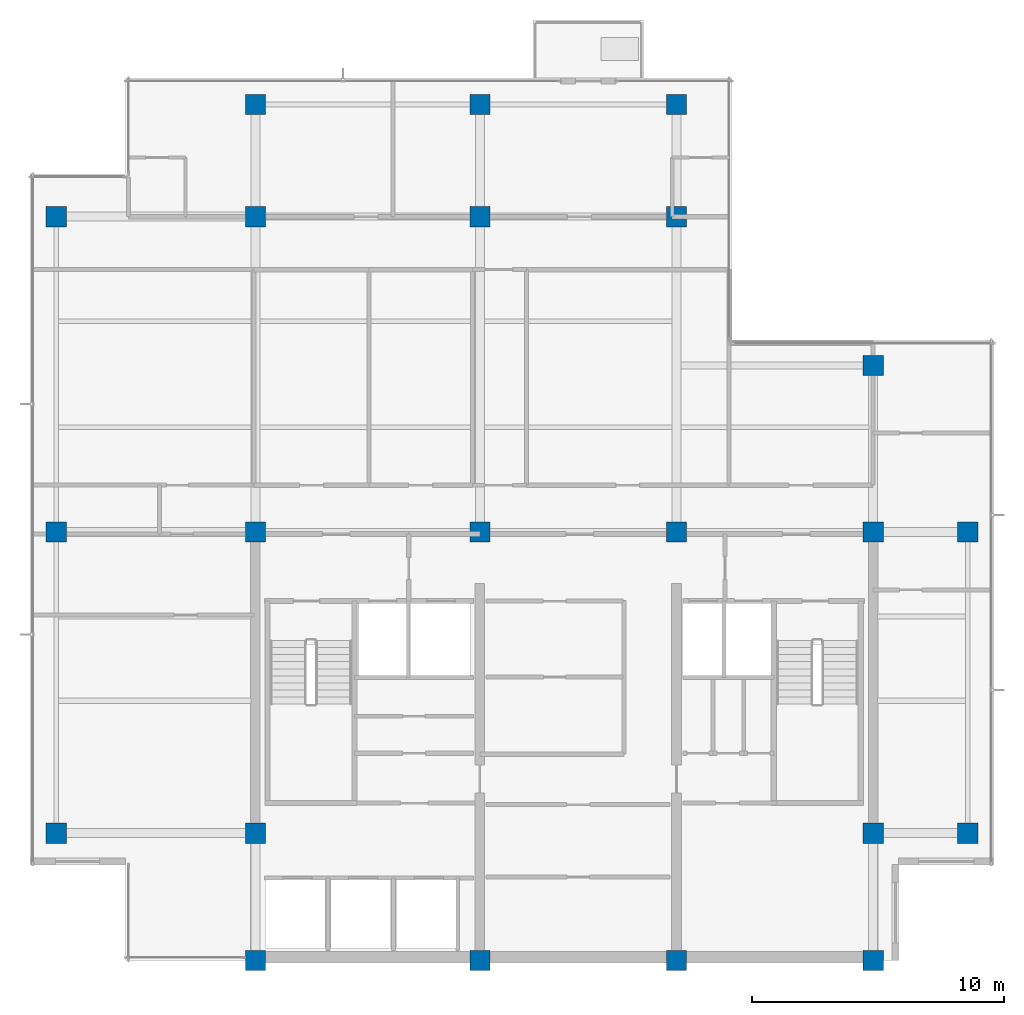
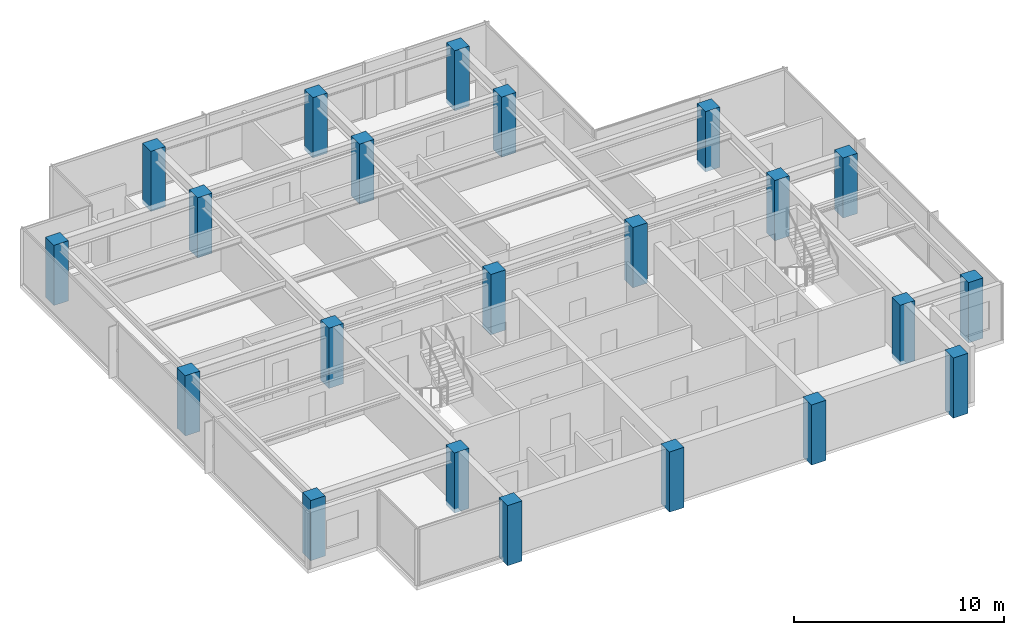
# One storey, part 1 of 11: 22 columns.
"""IFC4 building model written with IfcOpenShell, lengths in metres."""

import ifcopenshell
import ifcopenshell.guid

model = None  # the IFC model being written
_history = None  # IfcOwnerHistory: only IFC2X3 demands one
_inside = {}  # id of a spatial element -> (the spatial element, [elements in it])
_under = {}  # id of a project, library or spatial element -> (it, [spatial elements below it])
_declared = {}  # id of a project -> (the project, [libraries it declares])
_typed = {}  # id of a type object -> (the type object, [elements of that type])
_made_of = {}  # id of a material, layer set ... -> (it, [elements and type objects made of it])


def new_model(schema):
    """Start an empty IFC model of exactly this schema.

    Asked for "IFC4X3", IfcOpenShell would pick the latest addendum, in which some entities
    have other attributes; the version numbers below select the first issue.
    IFC2X3 requires an IfcOwnerHistory on every rooted entity: one is made here for all.
    """
    global model, _history
    if schema == "IFC4X3":
        model = ifcopenshell.file(schema_version=(4, 3, 0, 0))
    else:
        model = ifcopenshell.file(schema=schema)
    _inside.clear()
    _under.clear()
    _declared.clear()
    _typed.clear()
    _made_of.clear()
    _history = None
    if model.schema == "IFC2X3":
        org = make("IfcOrganization", Name="unknown")
        user = make(
            "IfcPersonAndOrganization",
            ThePerson=make("IfcPerson", FamilyName="unknown"),
            TheOrganization=org,
        )
        app = make(
            "IfcApplication",
            ApplicationDeveloper=org,
            Version="unknown",
            ApplicationFullName="unknown",
            ApplicationIdentifier="unknown",
        )
        _history = make(
            "IfcOwnerHistory",
            OwningUser=user,
            OwningApplication=app,
            ChangeAction="ADDED",
            CreationDate=0,
        )
    return model


def make(cls, **values):
    """One entity of the class cls with the attributes given. An attribute that is None is left unset."""
    return model.create_entity(
        cls, **{name: value for name, value in values.items() if value is not None}
    )


def rooted(cls, **values):
    """An entity with a GlobalId (a new one), such as an element, a storey or a relation."""
    return make(cls, GlobalId=ifcopenshell.guid.new(), OwnerHistory=_history, **values)


def si_unit(unit_type, name, prefix=None):
    """IfcSIUnit, for example si_unit("LENGTHUNIT", "METRE", prefix="MILLI")."""
    return make("IfcSIUnit", UnitType=unit_type, Prefix=prefix, Name=name)


def assignment(units):
    """IfcUnitAssignment: the units of a project."""
    return None if units is None else make("IfcUnitAssignment", Units=units)


def point(xyz):
    """IfcCartesianPoint."""
    return None if xyz is None else make("IfcCartesianPoint", Coordinates=xyz)


def direction(xyz):
    """IfcDirection."""
    return None if xyz is None else make("IfcDirection", DirectionRatios=xyz)


def frame(location, z_axis=None, x_axis=None):
    """IfcAxis2Placement3D, a coordinate frame: its origin and axes. An axis left out is left unset."""
    return make(
        "IfcAxis2Placement3D",
        Location=point(location),
        Axis=direction(z_axis),
        RefDirection=direction(x_axis),
    )


def frame_2d(location, x_axis=None):
    """IfcAxis2Placement2D, a coordinate frame in the plane: its origin and x axis."""
    return make(
        "IfcAxis2Placement2D", Location=point(location), RefDirection=direction(x_axis)
    )


def origin():
    """The frame at (0, 0, 0) with its axes left unset."""
    return frame((0.0, 0.0, 0.0))


def origin_2d():
    """The frame at (0, 0) in the plane with its x axis left unset."""
    return frame_2d((0.0, 0.0))


def place(relative_to, where):
    """IfcLocalPlacement: puts the frame where relative to a parent placement (None: the world)."""
    return make(
        "IfcLocalPlacement", PlacementRelTo=relative_to, RelativePlacement=where
    )


def context(
    kind, dimensions, precision=None, world=None, true_north=None, identifier=None
):
    """IfcGeometricRepresentationContext, for example the 3D "Model" context."""
    return make(
        "IfcGeometricRepresentationContext",
        ContextIdentifier=identifier,
        ContextType=kind,
        CoordinateSpaceDimension=dimensions,
        Precision=precision,
        WorldCoordinateSystem=world,
        TrueNorth=true_north,
    )


def subcontext(parent, identifier, kind, view, scale=None):
    """IfcGeometricRepresentationSubContext, for example "Body" below "Model"."""
    return make(
        "IfcGeometricRepresentationSubContext",
        ContextIdentifier=identifier,
        ContextType=kind,
        ParentContext=parent,
        TargetScale=scale,
        TargetView=view,
    )


def project(units=None, contexts=None):
    """IfcProject with its units and contexts."""
    return rooted(
        "IfcProject",
        Name="project",
        RepresentationContexts=contexts,
        UnitsInContext=assignment(units),
    )


def spatial(cls, under=None, at=None, **own):
    """A site, building, storey or space (cls), placed at a placement, below another one or the project."""
    s = rooted(cls, ObjectPlacement=at, **own)
    if under is not None:
        _under.setdefault(under.id(), (under, []))[1].append(s)
    return s


def profile(cls, at=None, kind="AREA", **sizes):
    """A parametric profile (cls). Its sizes go by their IFC names, for example OverallWidth=200.0."""
    return make(cls, ProfileType=kind, Position=at, **sizes)


def rectangle(**sizes):
    """IfcRectangleProfileDef."""
    return profile("IfcRectangleProfileDef", **sizes)


def extrude(swept, where, along, depth):
    """IfcExtrudedAreaSolid: the profile swept, set in the frame where, extruded along a direction by depth."""
    return make(
        "IfcExtrudedAreaSolid",
        SweptArea=swept,
        Position=where,
        ExtrudedDirection=direction(along),
        Depth=depth,
    )


def shape(context_of_items, identifier, shape_type, items):
    """IfcShapeRepresentation: the items that make up one representation, for example the "Body"."""
    return make(
        "IfcShapeRepresentation",
        ContextOfItems=context_of_items,
        RepresentationIdentifier=identifier,
        RepresentationType=shape_type,
        Items=items,
    )


def material(Name=None, Category=None):
    """IfcMaterial."""
    return make("IfcMaterial", Name=Name, Category=Category)


def material_profile(
    of_material, cross_section, Name=None, Category=None, Priority=None
):
    """IfcMaterialProfile: a cross section and its material."""
    return make(
        "IfcMaterialProfile",
        Name=Name,
        Material=of_material,
        Profile=cross_section,
        Priority=Priority,
        Category=Category,
    )


def profile_set(profiles, Name=None, composite=None):
    """IfcMaterialProfileSet."""
    return make(
        "IfcMaterialProfileSet",
        Name=Name,
        MaterialProfiles=profiles,
        CompositeProfile=composite,
    )


def made_of(thing, what):
    """Note that an element or type object is made of a material, layer set ...; save() writes the relation."""
    if what is not None:
        _made_of.setdefault(what.id(), (what, []))[1].append(thing)
    return thing


def type_object(cls, material=None, **own):
    """A type object (cls), such as IfcWallType, which elements share."""
    return made_of(rooted(cls, **own), material)


def element(
    cls,
    number,
    at=None,
    inside=None,
    cuts=None,
    type_object=None,
    material=None,
    context=None,
    identifier="Body",
    shape_type=None,
    held_by="IfcProductDefinitionShape",
    body=None,
    shapes=None,
    **own,
):
    """One element of the class cls, such as IfcWall. Its Tag is "e" and its number.

    at: its placement. inside: the storey or other place that contains it. cuts: it is an
    opening in that element (IfcRelVoidsElement). A single representation is given by context,
    identifier, shape_type and body (its items); several are given by shapes. held_by: the class
    of the entity that holds the representations. save() writes the other relations.
    """
    e = rooted(cls, Tag="e%d" % number, ObjectPlacement=at, **own)
    if body is not None:
        shapes = [shape(context, identifier, shape_type, body)]
    if shapes is not None:
        e.Representation = make(held_by, Representations=shapes)
    if inside is not None:
        _inside.setdefault(inside.id(), (inside, []))[1].append(e)
    if cuts is not None:
        rooted(
            "IfcRelVoidsElement", RelatingBuildingElement=cuts, RelatedOpeningElement=e
        )
    if type_object is not None:
        _typed.setdefault(type_object.id(), (type_object, []))[1].append(e)
    return made_of(e, material)


def aggregate(whole, parts):
    """IfcRelAggregates: a whole, such as a stair, and the parts it consists of."""
    return rooted("IfcRelAggregates", RelatingObject=whole, RelatedObjects=parts)


def save(model, path):
    """Write the relations noted so far, then the file.

    IfcRelAggregates (storeys below a building ...), IfcRelContainedInSpatialStructure (elements
    in a storey), IfcRelDefinesByType, IfcRelAssociatesMaterial and IfcRelDeclares: one each for
    every whole, place, type object, material and project.
    """
    for whole, parts in _under.values():
        aggregate(whole, parts)
    for where, things in _inside.values():
        rooted(
            "IfcRelContainedInSpatialStructure",
            RelatedElements=things,
            RelatingStructure=where,
        )
    for kind, things in _typed.values():
        rooted("IfcRelDefinesByType", RelatedObjects=things, RelatingType=kind)
    for what, things in _made_of.values():
        rooted("IfcRelAssociatesMaterial", RelatedObjects=things, RelatingMaterial=what)
    for by, libraries in _declared.values():
        rooted("IfcRelDeclares", RelatingContext=by, RelatedDefinitions=libraries)
    model.write(path)


model = new_model("IFC4")

# Units and contexts
model_context = context("Model", 3, precision=1e-05, world=origin(), true_north=direction((0.0, 1.0)))
body_context = subcontext(model_context, "Body", "Model", "MODEL_VIEW")
ifc_project = project(units=[si_unit("LENGTHUNIT", "METRE"), si_unit("AREAUNIT", "SQUARE_METRE"), si_unit("VOLUMEUNIT", "CUBIC_METRE"), si_unit("PLANEANGLEUNIT", "RADIAN"), si_unit("MASSUNIT", "GRAM", prefix="KILO")], contexts=[model_context])

# Site, building, storey
site_placement = place(None, origin())
site = spatial("IfcSite", under=ifc_project, at=site_placement, CompositionType="ELEMENT")
building_placement = place(site_placement, origin())
building = spatial("IfcBuilding", under=site, at=building_placement, Name="Qalmaran Belvedere Hotel", CompositionType="ELEMENT")
storey_placement = place(building_placement, frame((0.0, 0.0, 277.39990234375)))
storey = spatial("IfcBuildingStorey", under=building, at=storey_placement, Name="L72", CompositionType="ELEMENT", Elevation=277.39990234375)

# Columns
ifc_material = material(Name="Concrete C50/60", Category="concrete")
ifc_material_profile = material_profile(ifc_material, rectangle(XDim=0.800048828125, YDim=0.800048828125, at=origin_2d()), Name="CC800X800")
ifc_profile_set = profile_set([ifc_material_profile], Name="Concrete C50/60")
column_type = type_object("IfcColumnType", Name="COL-Z5-CC800", PredefinedType="COLUMN", material=ifc_profile_set)
for number, where, z_axis, x_axis, name in (
    (1, (20.300048828125, 3.5, -0.239990234375), (0.0, 0.0, 1.0), (1.0, 0.0, 0.0), "L72 Column C4B"),
    (2, (29.199951171875, 3.5, -0.239990234375), (0.0, 0.0, 1.0), (1.0, 0.0, 0.0), "L72 Column C5B"),
    (3, (37.0, 3.5, -0.239990234375), (0.0, 0.0, 1.0), (1.0, 0.0, 0.0), "L72 Column C6B"),
    (4, (44.800048828125, 3.5, -0.239990234375), (0.0, 0.0, 1.0), (1.0, 0.0, 0.0), "L72 Column C7B"),
    (5, (20.300048828125, 8.550048828125, -0.239990234375), (0.0, 0.0, 1.0), (1.0, 0.0, 0.0), "L72 Column C4C"),
    (6, (44.800048828125, 8.550048828125, -0.239990234375), (0.0, 0.0, 1.0), (1.0, 0.0, 0.0), "L72 Column C7C"),
    (7, (20.300048828125, 20.5, -0.239990234375), (0.0, 0.0, 1.0), (1.0, 0.0, 0.0), "L72 Column C4D"),
    (8, (29.199951171875, 20.5, -0.239990234375), (0.0, 0.0, 1.0), (1.0, 0.0, 0.0), "L72 Column C5D"),
    (9, (37.0, 20.5, -0.239990234375), (0.0, 0.0, 1.0), (1.0, 0.0, 0.0), "L72 Column C6D"),
    (10, (44.800048828125, 20.5, -0.239990234375), (0.0, 0.0, 1.0), (1.0, 0.0, 0.0), "L72 Column C7D"),
    (11, (20.300048828125, 33.0, -0.239990234375), (0.0, 0.0, 1.0), (1.0, 0.0, 0.0), "L72 Column C4F"),
    (12, (29.199951171875, 33.0, -0.239990234375), (0.0, 0.0, 1.0), (1.0, 0.0, 0.0), "L72 Column C5F"),
    (13, (37.0, 33.0, -0.239990234375), (0.0, 0.0, 1.0), (1.0, 0.0, 0.0), "L72 Column C6F"),
    (14, (44.800048828125, 27.10009765625, -0.239990234375), (0.0, 0.0, 1.0), (1.0, 0.0, 0.0), "L72 Column C7E"),
    (15, (12.39990234375, 8.550048828125, -0.239990234375), (0.0, 0.0, 1.0), (1.0, 0.0, 0.0), "L72 Column CW1"),
    (16, (12.39990234375, 20.5, -0.239990234375), (0.0, 0.0, 1.0), (1.0, 0.0, 0.0), "L72 Column CW3"),
    (17, (12.39990234375, 33.0, -0.239990234375), (0.0, 0.0, 1.0), (1.0, 0.0, 0.0), "L72 Column CW4"),
    (18, (48.550048828125, 8.550048828125, -0.239990234375), (0.0, 0.0, 1.0), (1.0, 0.0, 0.0), "L72 Column CE1"),
    (19, (48.550048828125, 20.5, -0.239990234375), (0.0, 0.0, 1.0), (1.0, 0.0, 0.0), "L72 Column CE3"),
    (20, (20.300048828125, 37.449951171875, -0.239990234375), (0.0, 0.0, 1.0), (1.0, 0.0, 0.0), "L72 Column CN1"),
    (21, (29.199951171875, 37.449951171875, -0.239990234375), (0.0, 0.0, 1.0), (1.0, 0.0, 0.0), "L72 Column CN2"),
    (22, (37.0, 37.449951171875, -0.239990234375), (0.0, 0.0, 1.0), (1.0, 0.0, 0.0), "L72 Column CN3"),
):
    element("IfcColumn", number, at=place(storey_placement, frame(where, z_axis=z_axis, x_axis=x_axis)), inside=storey, type_object=column_type, Name=name, PredefinedType="COLUMN", context=body_context, shape_type="SweptSolid", body=[
        extrude(rectangle(XDim=0.800048828125, YDim=0.800048828125, at=origin_2d()), origin(), (0.0, 0.0, 1.0), 3.5),
    ])

save(model, "model.ifc")
